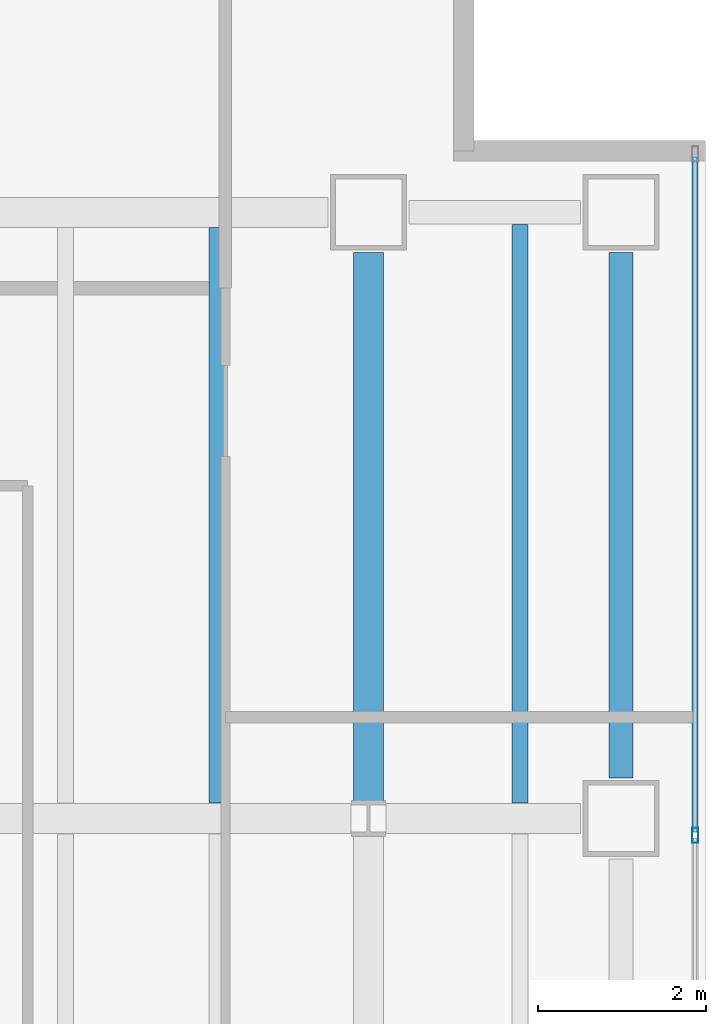
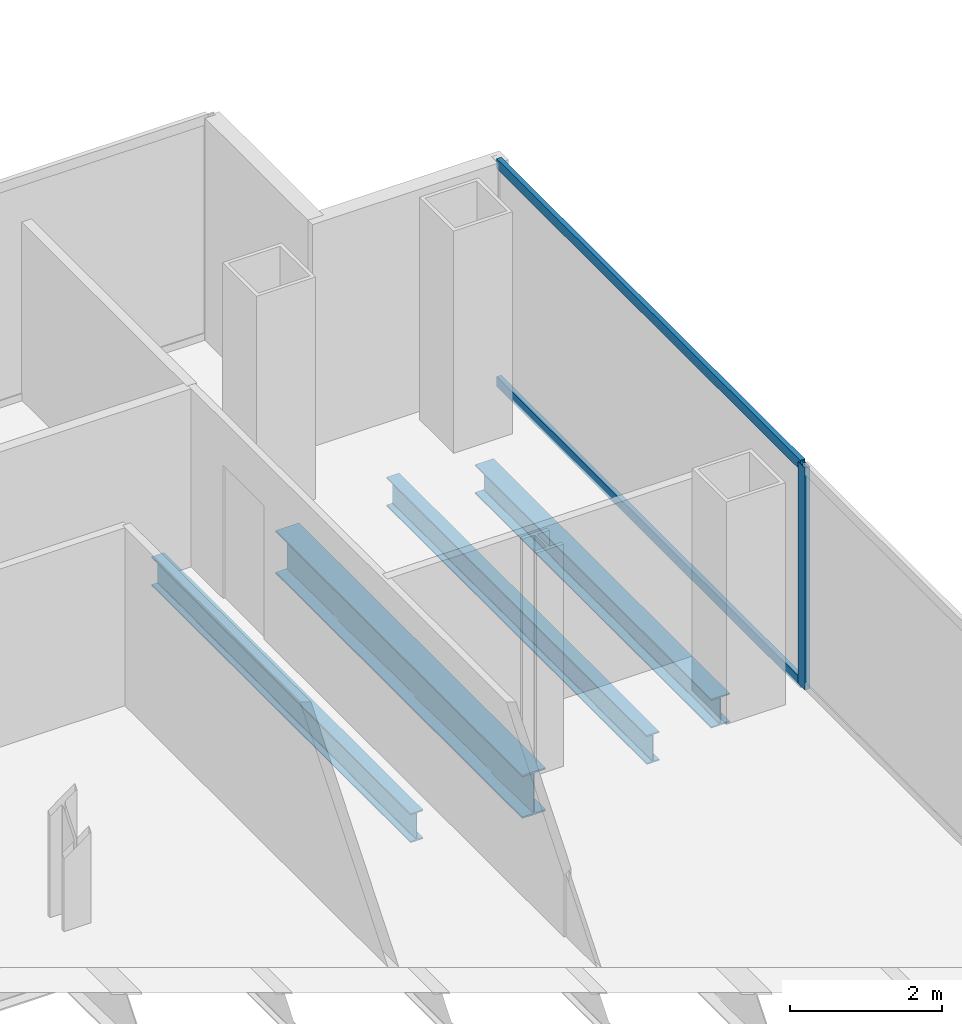
# One storey, part 13 of 23: 4 beams, 3 members, 1 element without a shape of its own.
"""IFC4 building model written with IfcOpenShell, lengths in metres."""

from ifc_helpers import new_model, si_unit, direction, frame, origin, origin_2d, place, context, subcontext, project, spatial, hollow_rectangle, i_section, extrude, material, material_profile, profile_set, type_object, element, aggregate, save


model = new_model("IFC4")

# Units and contexts
model_context = context("Model", 3, precision=1e-05, world=origin(), true_north=direction((0.0, 1.0)))
body_context = subcontext(model_context, "Body", "Model", "MODEL_VIEW")
ifc_project = project(units=[si_unit("LENGTHUNIT", "METRE"), si_unit("AREAUNIT", "SQUARE_METRE"), si_unit("VOLUMEUNIT", "CUBIC_METRE"), si_unit("PLANEANGLEUNIT", "RADIAN"), si_unit("MASSUNIT", "GRAM", prefix="KILO")], contexts=[model_context])

# Site, building, storey
site_placement = place(None, origin())
site = spatial("IfcSite", under=ifc_project, at=site_placement, CompositionType="ELEMENT")
building_placement = place(site_placement, origin())
building = spatial("IfcBuilding", under=site, at=building_placement, Name="Cobrela Telecom Tower", CompositionType="ELEMENT")
storey_placement = place(building_placement, frame((0.0, 0.0, 117.60009765625)))
storey = spatial("IfcBuildingStorey", under=building, at=storey_placement, Name="L29", CompositionType="ELEMENT", Elevation=117.60009765625)

# Beams
ifc_material_1 = material(Name="Steel ASTM A992 Grade 50", Category="steel")
ifc_material_profile_1 = material_profile(ifc_material_1, i_section(OverallWidth=0.35595703125, OverallDepth=0.696044921875, WebThickness=0.015380859375, FlangeThickness=0.024658203125, FilletRadius=0.01806640625, at=origin_2d()), Name="W27X146")
ifc_profile_set_1 = profile_set([ifc_material_profile_1], Name="Steel ASTM A992 Grade 50")
beam_type_1 = type_object("IfcBeamType", Name="BM-GIRD-05", PredefinedType="USERDEFINED", material=ifc_profile_set_1)
beam_1_placement = place(storey_placement, frame((43.199951171875, 14.609619140625, -0.6181640625), z_axis=(0.0, 1.0, 0.0), x_axis=(-1.0, 0.0, 0.0)))
element("IfcBeam", 1, at=beam_1_placement, inside=storey, type_object=beam_type_1, Name="L29 Primary Girder Y54", ObjectType="GIRDER", PredefinedType="USERDEFINED", context=body_context, shape_type="SweptSolid", body=[
    extrude(i_section(OverallWidth=0.35595703125, OverallDepth=0.696044921875, WebThickness=0.015380859375, FlangeThickness=0.024658203125, FilletRadius=0.01806640625, at=origin_2d()), origin(), (0.0, 0.0, 1.0), 6.510498046875),
])
ifc_material_profile_2 = material_profile(ifc_material_1, i_section(OverallWidth=0.193115234375, OverallDepth=0.467041015625, WebThickness=0.011474609375, FlangeThickness=0.01904296875, FilletRadius=0.012939453125, at=origin_2d()), Name="W18X65")
ifc_profile_set_2 = profile_set([ifc_material_profile_2], Name="Steel ASTM A992 Grade 50")
beam_type_2 = type_object("IfcBeamType", Name="BM-JOIST-03", PredefinedType="JOIST", material=ifc_profile_set_2)
beam_2_placement = place(storey_placement, frame((41.39990234375, 14.5830078125, -0.503662109375), z_axis=(0.0, 1.0, 0.0), x_axis=(-1.0, 0.0, 0.0)))
element("IfcBeam", 2, at=beam_2_placement, inside=storey, type_object=beam_type_2, Name="L29 Secondary Composite Floor Beam J38", PredefinedType="JOIST", context=body_context, shape_type="SweptSolid", body=[
    extrude(i_section(OverallWidth=0.193115234375, OverallDepth=0.467041015625, WebThickness=0.011474609375, FlangeThickness=0.01904296875, FilletRadius=0.012939453125, at=origin_2d()), origin(), (0.0, 0.0, 1.0), 6.833984375),
])
beam_3_placement = place(storey_placement, frame((45.0, 14.5830078125, -0.503662109375), z_axis=(0.0, 1.0, 0.0), x_axis=(-1.0, 0.0, 0.0)))
element("IfcBeam", 3, at=beam_3_placement, inside=storey, type_object=beam_type_2, Name="L29 Secondary Composite Floor Beam J40", PredefinedType="JOIST", context=body_context, shape_type="SweptSolid", body=[
    extrude(i_section(OverallWidth=0.193115234375, OverallDepth=0.467041015625, WebThickness=0.011474609375, FlangeThickness=0.01904296875, FilletRadius=0.012939453125, at=origin_2d()), origin(), (0.0, 0.0, 1.0), 6.87109375),
])
ifc_material_profile_3 = material_profile(ifc_material_1, i_section(OverallWidth=0.281982421875, OverallDepth=0.467041015625, WebThickness=0.01220703125, FlangeThickness=0.01953125, FilletRadius=0.012939453125, at=origin_2d()), Name="W18X86")
ifc_profile_set_3 = profile_set([ifc_material_profile_3], Name="Steel ASTM A992 Grade 50")
beam_type_3 = type_object("IfcBeamType", Name="BM-SPAND-04", PredefinedType="SPANDREL", material=ifc_profile_set_3)
beam_4_placement = place(storey_placement, frame((46.199951171875, 14.8798828125, -0.503662109375), z_axis=(0.0, 1.0, 0.0), x_axis=(-1.0, 0.0, 0.0)))
element("IfcBeam", 4, at=beam_4_placement, inside=storey, type_object=beam_type_3, Name="L29 Perimeter Spandrel Y56", PredefinedType="SPANDREL", context=body_context, shape_type="SweptSolid", body=[
    extrude(i_section(OverallWidth=0.281982421875, OverallDepth=0.467041015625, WebThickness=0.01220703125, FlangeThickness=0.01953125, FilletRadius=0.012939453125, at=origin_2d()), origin(), (0.0, 0.0, 1.0), 6.240234375),
])

# Curtain wall, members
ifc_material_2 = material(Name="Anodized Bronze Aluminium 6063-T6", Category="aluminium")
curtain_wall_type = type_object("IfcCurtainWallType", Name="CW-SYS-TEL", PredefinedType="USERDEFINED", material=ifc_material_2)
curtain_wall_placement = place(storey_placement, origin())
curtain_wall = element("IfcCurtainWall", 5, at=curtain_wall_placement, inside=storey, type_object=curtain_wall_type, Name="L29 Unitised Bronze Curtain Wall 14", ObjectType="UNITISED CURTAIN WALL", PredefinedType="USERDEFINED")
ifc_material_profile_4 = material_profile(ifc_material_2, hollow_rectangle(XDim=0.074951171875, YDim=0.179931640625, WallThickness=0.00390625, at=origin_2d()), Name="ALU 75x180x4")
ifc_profile_set_4 = profile_set([ifc_material_profile_4], Name="Anodized Bronze Aluminium 6063-T6")
member_type_1 = type_object("IfcMemberType", Name="CW-SYS-TEL-MUL", PredefinedType="MULLION", material=ifc_profile_set_4)
member_1_placement = place(storey_placement, frame((47.080078125, 14.199951171875, 0.0), z_axis=(0.0, 0.0, 1.0), x_axis=(1.0, 0.0, 0.0)))
member_1 = element("IfcMember", 6, at=member_1_placement, type_object=member_type_1, Name="CW-TEL mullion 2", PredefinedType="MULLION", context=body_context, shape_type="SweptSolid", body=[
    extrude(hollow_rectangle(XDim=0.074951171875, YDim=0.179931640625, WallThickness=0.00390625, at=origin_2d()), origin(), (0.0, 0.0, 1.0), 3.579833984375),
])
ifc_material_profile_5 = material_profile(ifc_material_2, hollow_rectangle(XDim=0.070068359375, YDim=0.159912109375, WallThickness=0.00390625, at=origin_2d()), Name="ALU 70x160x4")
ifc_profile_set_5 = profile_set([ifc_material_profile_5], Name="Anodized Bronze Aluminium 6063-T6")
member_type_2 = type_object("IfcMemberType", Name="CW-SYS-TEL-TRN", PredefinedType="USERDEFINED", material=ifc_profile_set_5)
member_2_placement = place(storey_placement, frame((47.080078125, 22.2548828125, 0.034912109375), z_axis=(0.0, -1.0, 0.0), x_axis=(1.0, 0.0, 0.0)))
member_2 = element("IfcMember", 7, at=member_2_placement, type_object=member_type_2, Name="CW-TEL transom 1.1", ObjectType="TRANSOM", PredefinedType="USERDEFINED", context=body_context, shape_type="SweptSolid", body=[
    extrude(hollow_rectangle(XDim=0.070068359375, YDim=0.159912109375, WallThickness=0.00390625, at=origin_2d()), origin(), (0.0, 0.0, 1.0), 8.017333984375),
])
member_3_placement = place(storey_placement, frame((47.080078125, 22.2548828125, 3.544921875), z_axis=(0.0, -1.0, 0.0), x_axis=(1.0, 0.0, 0.0)))
member_3 = element("IfcMember", 8, at=member_3_placement, type_object=member_type_2, Name="CW-TEL transom 1.2", ObjectType="TRANSOM", PredefinedType="USERDEFINED", context=body_context, shape_type="SweptSolid", body=[
    extrude(hollow_rectangle(XDim=0.070068359375, YDim=0.159912109375, WallThickness=0.00390625, at=origin_2d()), origin(), (0.0, 0.0, 1.0), 8.017333984375),
])
aggregate(curtain_wall, [member_1, member_2, member_3])

save(model, "model.ifc")
